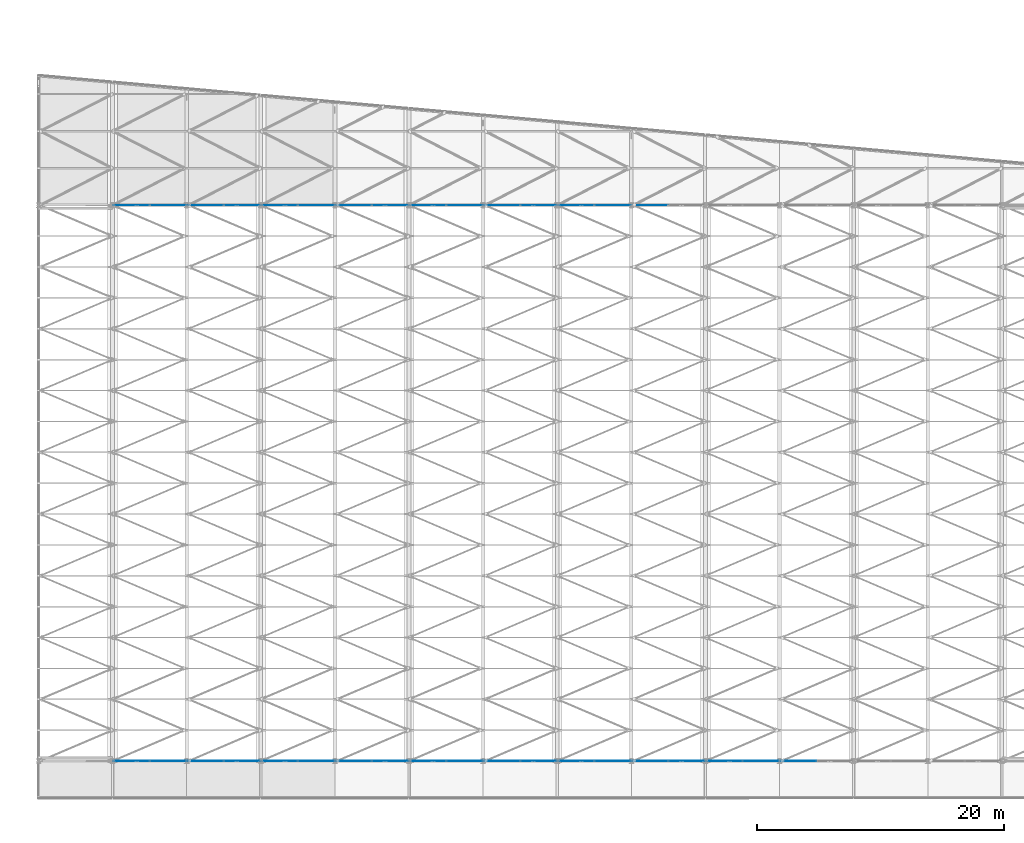
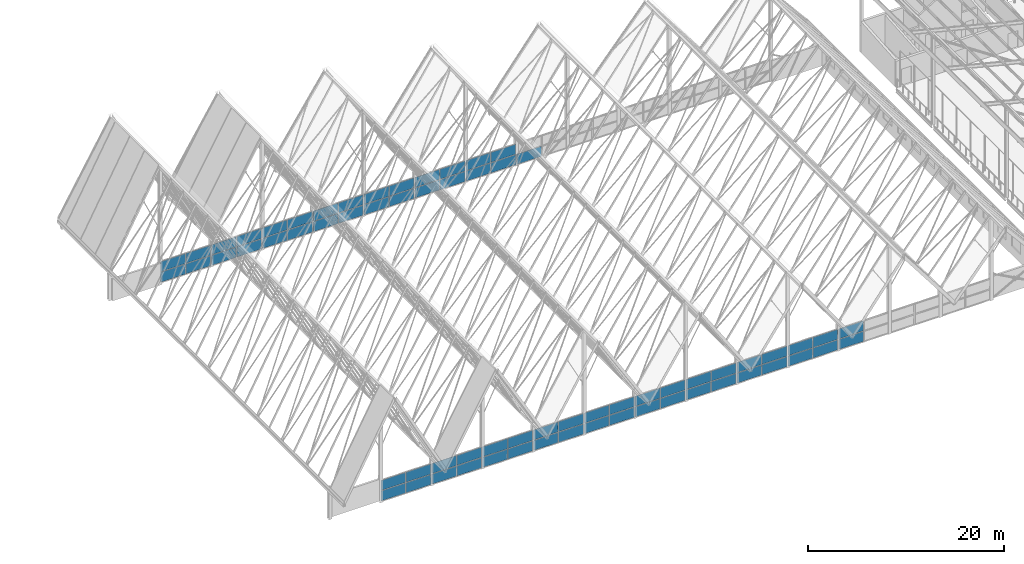
# One storey, part 106 of 483: 67 plates, 18 elements without a shape of their own.
"""IFC4 building model written with IfcOpenShell, lengths in metres."""

import ifcopenshell
import ifcopenshell.guid

model = None  # the IFC model being written
_history = None  # IfcOwnerHistory: only IFC2X3 demands one
_inside = {}  # id of a spatial element -> (the spatial element, [elements in it])
_under = {}  # id of a project, library or spatial element -> (it, [spatial elements below it])
_declared = {}  # id of a project -> (the project, [libraries it declares])
_typed = {}  # id of a type object -> (the type object, [elements of that type])
_made_of = {}  # id of a material, layer set ... -> (it, [elements and type objects made of it])


def new_model(schema):
    """Start an empty IFC model of exactly this schema.

    Asked for "IFC4X3", IfcOpenShell would pick the latest addendum, in which some entities
    have other attributes; the version numbers below select the first issue.
    IFC2X3 requires an IfcOwnerHistory on every rooted entity: one is made here for all.
    """
    global model, _history
    if schema == "IFC4X3":
        model = ifcopenshell.file(schema_version=(4, 3, 0, 0))
    else:
        model = ifcopenshell.file(schema=schema)
    _inside.clear()
    _under.clear()
    _declared.clear()
    _typed.clear()
    _made_of.clear()
    _history = None
    if model.schema == "IFC2X3":
        org = make("IfcOrganization", Name="unknown")
        user = make(
            "IfcPersonAndOrganization",
            ThePerson=make("IfcPerson", FamilyName="unknown"),
            TheOrganization=org,
        )
        app = make(
            "IfcApplication",
            ApplicationDeveloper=org,
            Version="unknown",
            ApplicationFullName="unknown",
            ApplicationIdentifier="unknown",
        )
        _history = make(
            "IfcOwnerHistory",
            OwningUser=user,
            OwningApplication=app,
            ChangeAction="ADDED",
            CreationDate=0,
        )
    return model


def make(cls, **values):
    """One entity of the class cls with the attributes given. An attribute that is None is left unset."""
    return model.create_entity(
        cls, **{name: value for name, value in values.items() if value is not None}
    )


def rooted(cls, **values):
    """An entity with a GlobalId (a new one), such as an element, a storey or a relation."""
    return make(cls, GlobalId=ifcopenshell.guid.new(), OwnerHistory=_history, **values)


def si_unit(unit_type, name, prefix=None):
    """IfcSIUnit, for example si_unit("LENGTHUNIT", "METRE", prefix="MILLI")."""
    return make("IfcSIUnit", UnitType=unit_type, Prefix=prefix, Name=name)


def assignment(units):
    """IfcUnitAssignment: the units of a project."""
    return None if units is None else make("IfcUnitAssignment", Units=units)


def point(xyz):
    """IfcCartesianPoint."""
    return None if xyz is None else make("IfcCartesianPoint", Coordinates=xyz)


def direction(xyz):
    """IfcDirection."""
    return None if xyz is None else make("IfcDirection", DirectionRatios=xyz)


def frame(location, z_axis=None, x_axis=None):
    """IfcAxis2Placement3D, a coordinate frame: its origin and axes. An axis left out is left unset."""
    return make(
        "IfcAxis2Placement3D",
        Location=point(location),
        Axis=direction(z_axis),
        RefDirection=direction(x_axis),
    )


def frame_2d(location, x_axis=None):
    """IfcAxis2Placement2D, a coordinate frame in the plane: its origin and x axis."""
    return make(
        "IfcAxis2Placement2D", Location=point(location), RefDirection=direction(x_axis)
    )


def origin():
    """The frame at (0, 0, 0) with its axes left unset."""
    return frame((0.0, 0.0, 0.0))


def origin_2d():
    """The frame at (0, 0) in the plane with its x axis left unset."""
    return frame_2d((0.0, 0.0))


def place(relative_to, where):
    """IfcLocalPlacement: puts the frame where relative to a parent placement (None: the world)."""
    return make(
        "IfcLocalPlacement", PlacementRelTo=relative_to, RelativePlacement=where
    )


def context(
    kind, dimensions, precision=None, world=None, true_north=None, identifier=None
):
    """IfcGeometricRepresentationContext, for example the 3D "Model" context."""
    return make(
        "IfcGeometricRepresentationContext",
        ContextIdentifier=identifier,
        ContextType=kind,
        CoordinateSpaceDimension=dimensions,
        Precision=precision,
        WorldCoordinateSystem=world,
        TrueNorth=true_north,
    )


def subcontext(parent, identifier, kind, view, scale=None):
    """IfcGeometricRepresentationSubContext, for example "Body" below "Model"."""
    return make(
        "IfcGeometricRepresentationSubContext",
        ContextIdentifier=identifier,
        ContextType=kind,
        ParentContext=parent,
        TargetScale=scale,
        TargetView=view,
    )


def project(units=None, contexts=None):
    """IfcProject with its units and contexts."""
    return rooted(
        "IfcProject",
        Name="project",
        RepresentationContexts=contexts,
        UnitsInContext=assignment(units),
    )


def spatial(cls, under=None, at=None, **own):
    """A site, building, storey or space (cls), placed at a placement, below another one or the project."""
    s = rooted(cls, ObjectPlacement=at, **own)
    if under is not None:
        _under.setdefault(under.id(), (under, []))[1].append(s)
    return s


def profile(cls, at=None, kind="AREA", **sizes):
    """A parametric profile (cls). Its sizes go by their IFC names, for example OverallWidth=200.0."""
    return make(cls, ProfileType=kind, Position=at, **sizes)


def rectangle(**sizes):
    """IfcRectangleProfileDef."""
    return profile("IfcRectangleProfileDef", **sizes)


def extrude(swept, where, along, depth):
    """IfcExtrudedAreaSolid: the profile swept, set in the frame where, extruded along a direction by depth."""
    return make(
        "IfcExtrudedAreaSolid",
        SweptArea=swept,
        Position=where,
        ExtrudedDirection=direction(along),
        Depth=depth,
    )


def shape(context_of_items, identifier, shape_type, items):
    """IfcShapeRepresentation: the items that make up one representation, for example the "Body"."""
    return make(
        "IfcShapeRepresentation",
        ContextOfItems=context_of_items,
        RepresentationIdentifier=identifier,
        RepresentationType=shape_type,
        Items=items,
    )


def material(Name=None, Category=None):
    """IfcMaterial."""
    return make("IfcMaterial", Name=Name, Category=Category)


def layer(
    of_material, thickness, ventilated=None, Name=None, Category=None, Priority=None
):
    """IfcMaterialLayer: one layer of a wall or slab, of a material (None: an air gap)."""
    return make(
        "IfcMaterialLayer",
        Material=of_material,
        LayerThickness=thickness,
        IsVentilated=ventilated,
        Name=Name,
        Category=Category,
        Priority=Priority,
    )


def layer_set(layers, Name=None):
    """IfcMaterialLayerSet."""
    return make("IfcMaterialLayerSet", MaterialLayers=layers, LayerSetName=Name)


def made_of(thing, what):
    """Note that an element or type object is made of a material, layer set ...; save() writes the relation."""
    if what is not None:
        _made_of.setdefault(what.id(), (what, []))[1].append(thing)
    return thing


def type_object(cls, material=None, **own):
    """A type object (cls), such as IfcWallType, which elements share."""
    return made_of(rooted(cls, **own), material)


def element(
    cls,
    number,
    at=None,
    inside=None,
    cuts=None,
    type_object=None,
    material=None,
    context=None,
    identifier="Body",
    shape_type=None,
    held_by="IfcProductDefinitionShape",
    body=None,
    shapes=None,
    **own,
):
    """One element of the class cls, such as IfcWall. Its Tag is "e" and its number.

    at: its placement. inside: the storey or other place that contains it. cuts: it is an
    opening in that element (IfcRelVoidsElement). A single representation is given by context,
    identifier, shape_type and body (its items); several are given by shapes. held_by: the class
    of the entity that holds the representations. save() writes the other relations.
    """
    e = rooted(cls, Tag="e%d" % number, ObjectPlacement=at, **own)
    if body is not None:
        shapes = [shape(context, identifier, shape_type, body)]
    if shapes is not None:
        e.Representation = make(held_by, Representations=shapes)
    if inside is not None:
        _inside.setdefault(inside.id(), (inside, []))[1].append(e)
    if cuts is not None:
        rooted(
            "IfcRelVoidsElement", RelatingBuildingElement=cuts, RelatedOpeningElement=e
        )
    if type_object is not None:
        _typed.setdefault(type_object.id(), (type_object, []))[1].append(e)
    return made_of(e, material)


def aggregate(whole, parts):
    """IfcRelAggregates: a whole, such as a stair, and the parts it consists of."""
    return rooted("IfcRelAggregates", RelatingObject=whole, RelatedObjects=parts)


def save(model, path):
    """Write the relations noted so far, then the file.

    IfcRelAggregates (storeys below a building ...), IfcRelContainedInSpatialStructure (elements
    in a storey), IfcRelDefinesByType, IfcRelAssociatesMaterial and IfcRelDeclares: one each for
    every whole, place, type object, material and project.
    """
    for whole, parts in _under.values():
        aggregate(whole, parts)
    for where, things in _inside.values():
        rooted(
            "IfcRelContainedInSpatialStructure",
            RelatedElements=things,
            RelatingStructure=where,
        )
    for kind, things in _typed.values():
        rooted("IfcRelDefinesByType", RelatedObjects=things, RelatingType=kind)
    for what, things in _made_of.values():
        rooted("IfcRelAssociatesMaterial", RelatedObjects=things, RelatingMaterial=what)
    for by, libraries in _declared.values():
        rooted("IfcRelDeclares", RelatingContext=by, RelatedDefinitions=libraries)
    model.write(path)


model = new_model("IFC4")

# Units and contexts
model_context = context("Model", 3, precision=1e-05, world=origin(), true_north=direction((0.0, 1.0)))
body_context = subcontext(model_context, "Body", "Model", "MODEL_VIEW")
ifc_project = project(units=[si_unit("LENGTHUNIT", "METRE"), si_unit("AREAUNIT", "SQUARE_METRE"), si_unit("VOLUMEUNIT", "CUBIC_METRE"), si_unit("PLANEANGLEUNIT", "RADIAN"), si_unit("MASSUNIT", "GRAM", prefix="KILO")], contexts=[model_context])

# Site, building, storey
site_placement = place(None, origin())
site = spatial("IfcSite", under=ifc_project, at=site_placement, CompositionType="ELEMENT")
building_placement = place(site_placement, origin())
building = spatial("IfcBuilding", under=site, at=building_placement, Name="Parallax Yard Mobility Hub", CompositionType="ELEMENT")
storey_placement = place(building_placement, frame((0.0, 0.0, 13.199951171875)))
storey = spatial("IfcBuildingStorey", under=building, at=storey_placement, Name="L04", CompositionType="ELEMENT", Elevation=13.199951171875)

# Curtain wall, plates
ifc_material_1 = material(Name="Thermally broken aluminium curtain wall system", Category="aluminium")
curtain_wall_type = type_object("IfcCurtainWallType", Name="Curtain wall run 60 x 160 frame", PredefinedType="NOTDEFINED", material=ifc_material_1)
curtain_wall_1_placement = place(storey_placement, origin())
curtain_wall_1 = element("IfcCurtainWall", 1, at=curtain_wall_1_placement, inside=storey, type_object=curtain_wall_type, Name="Glazed gable end Bus and taxi deck south gable bay 2 level L04", PredefinedType="NOTDEFINED")
ifc_material_2 = material(Name="Laminated low-E double glazing", Category="glass")
ifc_layer = layer(ifc_material_2, 0.028076171875)
ifc_layer_set = layer_set([ifc_layer], Name="Glazing panel 28")
plate_type = type_object("IfcPlateType", Name="Glazing panel 28", PredefinedType="CURTAIN_PANEL", material=ifc_layer_set)
plate_1_placement = place(storey_placement, frame((16.514892578125, 7.5, 0.06005859375), z_axis=(0.0, 0.0, 1.0), x_axis=(1.0, 0.0, 0.0)))
plate_1 = element("IfcPlate", 2, at=plate_1_placement, type_object=plate_type, Name="CW1 panel 1.1", PredefinedType="CURTAIN_PANEL", context=body_context, shape_type="SweptSolid", body=[
    extrude(rectangle(XDim=2.909912109375, YDim=0.028076171875, at=origin_2d()), origin(), (0.0, 0.0, 1.0), 1.2548828125),
])
plate_2_placement = place(storey_placement, frame((16.514892578125, 7.5, 1.375), z_axis=(0.0, 0.0, 1.0), x_axis=(1.0, 0.0, 0.0)))
plate_2 = element("IfcPlate", 3, at=plate_2_placement, type_object=plate_type, Name="CW1 panel 1.2", PredefinedType="CURTAIN_PANEL", context=body_context, shape_type="SweptSolid", body=[
    extrude(rectangle(XDim=2.909912109375, YDim=0.028076171875, at=origin_2d()), origin(), (0.0, 0.0, 1.0), 1.2548828125),
])
plate_3_placement = place(storey_placement, frame((19.485107421875, 7.5, 0.06005859375), z_axis=(0.0, 0.0, 1.0), x_axis=(1.0, 0.0, 0.0)))
plate_3 = element("IfcPlate", 4, at=plate_3_placement, type_object=plate_type, Name="CW1 panel 2.1", PredefinedType="CURTAIN_PANEL", context=body_context, shape_type="SweptSolid", body=[
    extrude(rectangle(XDim=2.909912109375, YDim=0.028076171875, at=origin_2d()), origin(), (0.0, 0.0, 1.0), 1.2548828125),
])
plate_4_placement = place(storey_placement, frame((19.485107421875, 7.5, 1.375), z_axis=(0.0, 0.0, 1.0), x_axis=(1.0, 0.0, 0.0)))
plate_4 = element("IfcPlate", 5, at=plate_4_placement, type_object=plate_type, Name="CW1 panel 2.2", PredefinedType="CURTAIN_PANEL", context=body_context, shape_type="SweptSolid", body=[
    extrude(rectangle(XDim=2.909912109375, YDim=0.028076171875, at=origin_2d()), origin(), (0.0, 0.0, 1.0), 1.2548828125),
])
aggregate(curtain_wall_1, [plate_1, plate_2, plate_3, plate_4])

curtain_wall_2_placement = place(storey_placement, origin())
curtain_wall_2 = element("IfcCurtainWall", 6, at=curtain_wall_2_placement, inside=storey, type_object=curtain_wall_type, Name="Glazed gable end Bus and taxi deck south gable bay 3 level L04", PredefinedType="NOTDEFINED")
plate_5_placement = place(storey_placement, frame((22.514892578125, 7.5, 0.06005859375), z_axis=(0.0, 0.0, 1.0), x_axis=(1.0, 0.0, 0.0)))
plate_5 = element("IfcPlate", 7, at=plate_5_placement, type_object=plate_type, Name="CW1 panel 1.1", PredefinedType="CURTAIN_PANEL", context=body_context, shape_type="SweptSolid", body=[
    extrude(rectangle(XDim=2.909912109375, YDim=0.028076171875, at=origin_2d()), origin(), (0.0, 0.0, 1.0), 1.2548828125),
])
plate_6_placement = place(storey_placement, frame((22.514892578125, 7.5, 1.375), z_axis=(0.0, 0.0, 1.0), x_axis=(1.0, 0.0, 0.0)))
plate_6 = element("IfcPlate", 8, at=plate_6_placement, type_object=plate_type, Name="CW1 panel 1.2", PredefinedType="CURTAIN_PANEL", context=body_context, shape_type="SweptSolid", body=[
    extrude(rectangle(XDim=2.909912109375, YDim=0.028076171875, at=origin_2d()), origin(), (0.0, 0.0, 1.0), 1.2548828125),
])
plate_7_placement = place(storey_placement, frame((25.485107421875, 7.5, 0.06005859375), z_axis=(0.0, 0.0, 1.0), x_axis=(1.0, 0.0, 0.0)))
plate_7 = element("IfcPlate", 9, at=plate_7_placement, type_object=plate_type, Name="CW1 panel 2.1", PredefinedType="CURTAIN_PANEL", context=body_context, shape_type="SweptSolid", body=[
    extrude(rectangle(XDim=2.909912109375, YDim=0.028076171875, at=origin_2d()), origin(), (0.0, 0.0, 1.0), 1.2548828125),
])
plate_8_placement = place(storey_placement, frame((25.485107421875, 7.5, 1.375), z_axis=(0.0, 0.0, 1.0), x_axis=(1.0, 0.0, 0.0)))
plate_8 = element("IfcPlate", 10, at=plate_8_placement, type_object=plate_type, Name="CW1 panel 2.2", PredefinedType="CURTAIN_PANEL", context=body_context, shape_type="SweptSolid", body=[
    extrude(rectangle(XDim=2.909912109375, YDim=0.028076171875, at=origin_2d()), origin(), (0.0, 0.0, 1.0), 1.2548828125),
])
aggregate(curtain_wall_2, [plate_5, plate_6, plate_7, plate_8])

curtain_wall_3_placement = place(storey_placement, origin())
curtain_wall_3 = element("IfcCurtainWall", 11, at=curtain_wall_3_placement, inside=storey, type_object=curtain_wall_type, Name="Glazed gable end Bus and taxi deck south gable bay 4 level L04", PredefinedType="NOTDEFINED")
plate_9_placement = place(storey_placement, frame((28.514892578125, 7.5, 0.06005859375), z_axis=(0.0, 0.0, 1.0), x_axis=(1.0, 0.0, 0.0)))
plate_9 = element("IfcPlate", 12, at=plate_9_placement, type_object=plate_type, Name="CW1 panel 1.1", PredefinedType="CURTAIN_PANEL", context=body_context, shape_type="SweptSolid", body=[
    extrude(rectangle(XDim=2.909912109375, YDim=0.028076171875, at=origin_2d()), origin(), (0.0, 0.0, 1.0), 1.2548828125),
])
plate_10_placement = place(storey_placement, frame((28.514892578125, 7.5, 1.375), z_axis=(0.0, 0.0, 1.0), x_axis=(1.0, 0.0, 0.0)))
plate_10 = element("IfcPlate", 13, at=plate_10_placement, type_object=plate_type, Name="CW1 panel 1.2", PredefinedType="CURTAIN_PANEL", context=body_context, shape_type="SweptSolid", body=[
    extrude(rectangle(XDim=2.909912109375, YDim=0.028076171875, at=origin_2d()), origin(), (0.0, 0.0, 1.0), 1.2548828125),
])
plate_11_placement = place(storey_placement, frame((31.485107421875, 7.5, 0.06005859375), z_axis=(0.0, 0.0, 1.0), x_axis=(1.0, 0.0, 0.0)))
plate_11 = element("IfcPlate", 14, at=plate_11_placement, type_object=plate_type, Name="CW1 panel 2.1", PredefinedType="CURTAIN_PANEL", context=body_context, shape_type="SweptSolid", body=[
    extrude(rectangle(XDim=2.909912109375, YDim=0.028076171875, at=origin_2d()), origin(), (0.0, 0.0, 1.0), 1.2548828125),
])
plate_12_placement = place(storey_placement, frame((31.485107421875, 7.5, 1.375), z_axis=(0.0, 0.0, 1.0), x_axis=(1.0, 0.0, 0.0)))
plate_12 = element("IfcPlate", 15, at=plate_12_placement, type_object=plate_type, Name="CW1 panel 2.2", PredefinedType="CURTAIN_PANEL", context=body_context, shape_type="SweptSolid", body=[
    extrude(rectangle(XDim=2.909912109375, YDim=0.028076171875, at=origin_2d()), origin(), (0.0, 0.0, 1.0), 1.2548828125),
])
aggregate(curtain_wall_3, [plate_9, plate_10, plate_11, plate_12])

curtain_wall_4_placement = place(storey_placement, origin())
curtain_wall_4 = element("IfcCurtainWall", 16, at=curtain_wall_4_placement, inside=storey, type_object=curtain_wall_type, Name="Glazed gable end Bus and taxi deck south gable bay 5 level L04", PredefinedType="NOTDEFINED")
plate_13_placement = place(storey_placement, frame((34.514892578125, 7.5, 0.06005859375), z_axis=(0.0, 0.0, 1.0), x_axis=(1.0, 0.0, 0.0)))
plate_13 = element("IfcPlate", 17, at=plate_13_placement, type_object=plate_type, Name="CW1 panel 1.1", PredefinedType="CURTAIN_PANEL", context=body_context, shape_type="SweptSolid", body=[
    extrude(rectangle(XDim=2.909912109375, YDim=0.028076171875, at=origin_2d()), origin(), (0.0, 0.0, 1.0), 1.2548828125),
])
plate_14_placement = place(storey_placement, frame((34.514892578125, 7.5, 1.375), z_axis=(0.0, 0.0, 1.0), x_axis=(1.0, 0.0, 0.0)))
plate_14 = element("IfcPlate", 18, at=plate_14_placement, type_object=plate_type, Name="CW1 panel 1.2", PredefinedType="CURTAIN_PANEL", context=body_context, shape_type="SweptSolid", body=[
    extrude(rectangle(XDim=2.909912109375, YDim=0.028076171875, at=origin_2d()), origin(), (0.0, 0.0, 1.0), 1.2548828125),
])
plate_15_placement = place(storey_placement, frame((37.485107421875, 7.5, 0.06005859375), z_axis=(0.0, 0.0, 1.0), x_axis=(1.0, 0.0, 0.0)))
plate_15 = element("IfcPlate", 19, at=plate_15_placement, type_object=plate_type, Name="CW1 panel 2.1", PredefinedType="CURTAIN_PANEL", context=body_context, shape_type="SweptSolid", body=[
    extrude(rectangle(XDim=2.909912109375, YDim=0.028076171875, at=origin_2d()), origin(), (0.0, 0.0, 1.0), 1.2548828125),
])
plate_16_placement = place(storey_placement, frame((37.485107421875, 7.5, 1.375), z_axis=(0.0, 0.0, 1.0), x_axis=(1.0, 0.0, 0.0)))
plate_16 = element("IfcPlate", 20, at=plate_16_placement, type_object=plate_type, Name="CW1 panel 2.2", PredefinedType="CURTAIN_PANEL", context=body_context, shape_type="SweptSolid", body=[
    extrude(rectangle(XDim=2.909912109375, YDim=0.028076171875, at=origin_2d()), origin(), (0.0, 0.0, 1.0), 1.2548828125),
])
aggregate(curtain_wall_4, [plate_13, plate_14, plate_15, plate_16])

curtain_wall_5_placement = place(storey_placement, origin())
curtain_wall_5 = element("IfcCurtainWall", 21, at=curtain_wall_5_placement, inside=storey, type_object=curtain_wall_type, Name="Glazed gable end Bus and taxi deck south gable bay 6 level L04", PredefinedType="NOTDEFINED")
plate_17_placement = place(storey_placement, frame((40.514892578125, 7.5, 0.06005859375), z_axis=(0.0, 0.0, 1.0), x_axis=(1.0, 0.0, 0.0)))
plate_17 = element("IfcPlate", 22, at=plate_17_placement, type_object=plate_type, Name="CW1 panel 1.1", PredefinedType="CURTAIN_PANEL", context=body_context, shape_type="SweptSolid", body=[
    extrude(rectangle(XDim=2.909912109375, YDim=0.028076171875, at=origin_2d()), origin(), (0.0, 0.0, 1.0), 1.2548828125),
])
plate_18_placement = place(storey_placement, frame((40.514892578125, 7.5, 1.375), z_axis=(0.0, 0.0, 1.0), x_axis=(1.0, 0.0, 0.0)))
plate_18 = element("IfcPlate", 23, at=plate_18_placement, type_object=plate_type, Name="CW1 panel 1.2", PredefinedType="CURTAIN_PANEL", context=body_context, shape_type="SweptSolid", body=[
    extrude(rectangle(XDim=2.909912109375, YDim=0.028076171875, at=origin_2d()), origin(), (0.0, 0.0, 1.0), 1.2548828125),
])
plate_19_placement = place(storey_placement, frame((43.485107421875, 7.5, 0.06005859375), z_axis=(0.0, 0.0, 1.0), x_axis=(1.0, 0.0, 0.0)))
plate_19 = element("IfcPlate", 24, at=plate_19_placement, type_object=plate_type, Name="CW1 panel 2.1", PredefinedType="CURTAIN_PANEL", context=body_context, shape_type="SweptSolid", body=[
    extrude(rectangle(XDim=2.909912109375, YDim=0.028076171875, at=origin_2d()), origin(), (0.0, 0.0, 1.0), 1.2548828125),
])
plate_20_placement = place(storey_placement, frame((43.485107421875, 7.5, 1.375), z_axis=(0.0, 0.0, 1.0), x_axis=(1.0, 0.0, 0.0)))
plate_20 = element("IfcPlate", 25, at=plate_20_placement, type_object=plate_type, Name="CW1 panel 2.2", PredefinedType="CURTAIN_PANEL", context=body_context, shape_type="SweptSolid", body=[
    extrude(rectangle(XDim=2.909912109375, YDim=0.028076171875, at=origin_2d()), origin(), (0.0, 0.0, 1.0), 1.2548828125),
])
aggregate(curtain_wall_5, [plate_17, plate_18, plate_19, plate_20])

curtain_wall_6_placement = place(storey_placement, origin())
curtain_wall_6 = element("IfcCurtainWall", 26, at=curtain_wall_6_placement, inside=storey, type_object=curtain_wall_type, Name="Glazed gable end Bus and taxi deck south gable bay 7 level L04", PredefinedType="NOTDEFINED")
plate_21_placement = place(storey_placement, frame((46.514892578125, 7.5, 0.06005859375), z_axis=(0.0, 0.0, 1.0), x_axis=(1.0, 0.0, 0.0)))
plate_21 = element("IfcPlate", 27, at=plate_21_placement, type_object=plate_type, Name="CW1 panel 1.1", PredefinedType="CURTAIN_PANEL", context=body_context, shape_type="SweptSolid", body=[
    extrude(rectangle(XDim=2.909912109375, YDim=0.028076171875, at=origin_2d()), origin(), (0.0, 0.0, 1.0), 1.2548828125),
])
plate_22_placement = place(storey_placement, frame((46.514892578125, 7.5, 1.375), z_axis=(0.0, 0.0, 1.0), x_axis=(1.0, 0.0, 0.0)))
plate_22 = element("IfcPlate", 28, at=plate_22_placement, type_object=plate_type, Name="CW1 panel 1.2", PredefinedType="CURTAIN_PANEL", context=body_context, shape_type="SweptSolid", body=[
    extrude(rectangle(XDim=2.909912109375, YDim=0.028076171875, at=origin_2d()), origin(), (0.0, 0.0, 1.0), 1.2548828125),
])
plate_23_placement = place(storey_placement, frame((49.485107421875, 7.5, 0.06005859375), z_axis=(0.0, 0.0, 1.0), x_axis=(1.0, 0.0, 0.0)))
plate_23 = element("IfcPlate", 29, at=plate_23_placement, type_object=plate_type, Name="CW1 panel 2.1", PredefinedType="CURTAIN_PANEL", context=body_context, shape_type="SweptSolid", body=[
    extrude(rectangle(XDim=2.909912109375, YDim=0.028076171875, at=origin_2d()), origin(), (0.0, 0.0, 1.0), 1.2548828125),
])
plate_24_placement = place(storey_placement, frame((49.485107421875, 7.5, 1.375), z_axis=(0.0, 0.0, 1.0), x_axis=(1.0, 0.0, 0.0)))
plate_24 = element("IfcPlate", 30, at=plate_24_placement, type_object=plate_type, Name="CW1 panel 2.2", PredefinedType="CURTAIN_PANEL", context=body_context, shape_type="SweptSolid", body=[
    extrude(rectangle(XDim=2.909912109375, YDim=0.028076171875, at=origin_2d()), origin(), (0.0, 0.0, 1.0), 1.2548828125),
])
aggregate(curtain_wall_6, [plate_21, plate_22, plate_23, plate_24])

curtain_wall_7_placement = place(storey_placement, origin())
curtain_wall_7 = element("IfcCurtainWall", 31, at=curtain_wall_7_placement, inside=storey, type_object=curtain_wall_type, Name="Glazed gable end Bus and taxi deck south gable bay 8 level L04", PredefinedType="NOTDEFINED")
plate_25_placement = place(storey_placement, frame((52.514892578125, 7.5, 0.06005859375), z_axis=(0.0, 0.0, 1.0), x_axis=(1.0, 0.0, 0.0)))
plate_25 = element("IfcPlate", 32, at=plate_25_placement, type_object=plate_type, Name="CW1 panel 1.1", PredefinedType="CURTAIN_PANEL", context=body_context, shape_type="SweptSolid", body=[
    extrude(rectangle(XDim=2.909912109375, YDim=0.028076171875, at=origin_2d()), origin(), (0.0, 0.0, 1.0), 1.2548828125),
])
plate_26_placement = place(storey_placement, frame((52.514892578125, 7.5, 1.375), z_axis=(0.0, 0.0, 1.0), x_axis=(1.0, 0.0, 0.0)))
plate_26 = element("IfcPlate", 33, at=plate_26_placement, type_object=plate_type, Name="CW1 panel 1.2", PredefinedType="CURTAIN_PANEL", context=body_context, shape_type="SweptSolid", body=[
    extrude(rectangle(XDim=2.909912109375, YDim=0.028076171875, at=origin_2d()), origin(), (0.0, 0.0, 1.0), 1.2548828125),
])
plate_27_placement = place(storey_placement, frame((55.485107421875, 7.5, 0.06005859375), z_axis=(0.0, 0.0, 1.0), x_axis=(1.0, 0.0, 0.0)))
plate_27 = element("IfcPlate", 34, at=plate_27_placement, type_object=plate_type, Name="CW1 panel 2.1", PredefinedType="CURTAIN_PANEL", context=body_context, shape_type="SweptSolid", body=[
    extrude(rectangle(XDim=2.909912109375, YDim=0.028076171875, at=origin_2d()), origin(), (0.0, 0.0, 1.0), 1.2548828125),
])
plate_28_placement = place(storey_placement, frame((55.485107421875, 7.5, 1.375), z_axis=(0.0, 0.0, 1.0), x_axis=(1.0, 0.0, 0.0)))
plate_28 = element("IfcPlate", 35, at=plate_28_placement, type_object=plate_type, Name="CW1 panel 2.2", PredefinedType="CURTAIN_PANEL", context=body_context, shape_type="SweptSolid", body=[
    extrude(rectangle(XDim=2.909912109375, YDim=0.028076171875, at=origin_2d()), origin(), (0.0, 0.0, 1.0), 1.2548828125),
])
aggregate(curtain_wall_7, [plate_25, plate_26, plate_27, plate_28])

curtain_wall_8_placement = place(storey_placement, origin())
curtain_wall_8 = element("IfcCurtainWall", 36, at=curtain_wall_8_placement, inside=storey, type_object=curtain_wall_type, Name="Glazed gable end Bus and taxi deck south gable bay 9 level L04", PredefinedType="NOTDEFINED")
plate_29_placement = place(storey_placement, frame((58.514892578125, 7.5, 0.06005859375), z_axis=(0.0, 0.0, 1.0), x_axis=(1.0, 0.0, 0.0)))
plate_29 = element("IfcPlate", 37, at=plate_29_placement, type_object=plate_type, Name="CW1 panel 1.1", PredefinedType="CURTAIN_PANEL", context=body_context, shape_type="SweptSolid", body=[
    extrude(rectangle(XDim=2.909912109375, YDim=0.028076171875, at=origin_2d()), origin(), (0.0, 0.0, 1.0), 1.2548828125),
])
plate_30_placement = place(storey_placement, frame((58.514892578125, 7.5, 1.375), z_axis=(0.0, 0.0, 1.0), x_axis=(1.0, 0.0, 0.0)))
plate_30 = element("IfcPlate", 38, at=plate_30_placement, type_object=plate_type, Name="CW1 panel 1.2", PredefinedType="CURTAIN_PANEL", context=body_context, shape_type="SweptSolid", body=[
    extrude(rectangle(XDim=2.909912109375, YDim=0.028076171875, at=origin_2d()), origin(), (0.0, 0.0, 1.0), 1.2548828125),
])
plate_31_placement = place(storey_placement, frame((61.485107421875, 7.5, 0.06005859375), z_axis=(0.0, 0.0, 1.0), x_axis=(1.0, 0.0, 0.0)))
plate_31 = element("IfcPlate", 39, at=plate_31_placement, type_object=plate_type, Name="CW1 panel 2.1", PredefinedType="CURTAIN_PANEL", context=body_context, shape_type="SweptSolid", body=[
    extrude(rectangle(XDim=2.909912109375, YDim=0.028076171875, at=origin_2d()), origin(), (0.0, 0.0, 1.0), 1.2548828125),
])
plate_32_placement = place(storey_placement, frame((61.485107421875, 7.5, 1.375), z_axis=(0.0, 0.0, 1.0), x_axis=(1.0, 0.0, 0.0)))
plate_32 = element("IfcPlate", 40, at=plate_32_placement, type_object=plate_type, Name="CW1 panel 2.2", PredefinedType="CURTAIN_PANEL", context=body_context, shape_type="SweptSolid", body=[
    extrude(rectangle(XDim=2.909912109375, YDim=0.028076171875, at=origin_2d()), origin(), (0.0, 0.0, 1.0), 1.2548828125),
])
aggregate(curtain_wall_8, [plate_29, plate_30, plate_31, plate_32])

curtain_wall_9_placement = place(storey_placement, origin())
curtain_wall_9 = element("IfcCurtainWall", 41, at=curtain_wall_9_placement, inside=storey, type_object=curtain_wall_type, Name="Glazed gable end Bus and taxi deck south gable bay 10 level L04", PredefinedType="NOTDEFINED")
plate_33_placement = place(storey_placement, frame((64.514892578125, 7.5, 0.06005859375), z_axis=(0.0, 0.0, 1.0), x_axis=(1.0, 0.0, 0.0)))
plate_33 = element("IfcPlate", 42, at=plate_33_placement, type_object=plate_type, Name="CW1 panel 1.1", PredefinedType="CURTAIN_PANEL", context=body_context, shape_type="SweptSolid", body=[
    extrude(rectangle(XDim=2.909912109375, YDim=0.028076171875, at=origin_2d()), origin(), (0.0, 0.0, 1.0), 1.2548828125),
])
plate_34_placement = place(storey_placement, frame((64.514892578125, 7.5, 1.375), z_axis=(0.0, 0.0, 1.0), x_axis=(1.0, 0.0, 0.0)))
plate_34 = element("IfcPlate", 43, at=plate_34_placement, type_object=plate_type, Name="CW1 panel 1.2", PredefinedType="CURTAIN_PANEL", context=body_context, shape_type="SweptSolid", body=[
    extrude(rectangle(XDim=2.909912109375, YDim=0.028076171875, at=origin_2d()), origin(), (0.0, 0.0, 1.0), 1.2548828125),
])
plate_35_placement = place(storey_placement, frame((67.485107421875, 7.5, 0.06005859375), z_axis=(0.0, 0.0, 1.0), x_axis=(1.0, 0.0, 0.0)))
plate_35 = element("IfcPlate", 44, at=plate_35_placement, type_object=plate_type, Name="CW1 panel 2.1", PredefinedType="CURTAIN_PANEL", context=body_context, shape_type="SweptSolid", body=[
    extrude(rectangle(XDim=2.909912109375, YDim=0.028076171875, at=origin_2d()), origin(), (0.0, 0.0, 1.0), 1.2548828125),
])
plate_36_placement = place(storey_placement, frame((67.485107421875, 7.5, 1.375), z_axis=(0.0, 0.0, 1.0), x_axis=(1.0, 0.0, 0.0)))
plate_36 = element("IfcPlate", 45, at=plate_36_placement, type_object=plate_type, Name="CW1 panel 2.2", PredefinedType="CURTAIN_PANEL", context=body_context, shape_type="SweptSolid", body=[
    extrude(rectangle(XDim=2.909912109375, YDim=0.028076171875, at=origin_2d()), origin(), (0.0, 0.0, 1.0), 1.2548828125),
])
aggregate(curtain_wall_9, [plate_33, plate_34, plate_35, plate_36])

curtain_wall_10_placement = place(storey_placement, origin())
curtain_wall_10 = element("IfcCurtainWall", 46, at=curtain_wall_10_placement, inside=storey, type_object=curtain_wall_type, Name="Glazed gable end Bus and taxi deck south gable bay 11 level L04", PredefinedType="NOTDEFINED")
plate_37_placement = place(storey_placement, frame((70.514892578125, 7.5, 0.06005859375), z_axis=(0.0, 0.0, 1.0), x_axis=(1.0, 0.0, 0.0)))
plate_37 = element("IfcPlate", 47, at=plate_37_placement, type_object=plate_type, Name="CW1 panel 1.1", PredefinedType="CURTAIN_PANEL", context=body_context, shape_type="SweptSolid", body=[
    extrude(rectangle(XDim=2.909912109375, YDim=0.028076171875, at=origin_2d()), origin(), (0.0, 0.0, 1.0), 1.2548828125),
])
plate_38_placement = place(storey_placement, frame((70.514892578125, 7.5, 1.375), z_axis=(0.0, 0.0, 1.0), x_axis=(1.0, 0.0, 0.0)))
plate_38 = element("IfcPlate", 48, at=plate_38_placement, type_object=plate_type, Name="CW1 panel 1.2", PredefinedType="CURTAIN_PANEL", context=body_context, shape_type="SweptSolid", body=[
    extrude(rectangle(XDim=2.909912109375, YDim=0.028076171875, at=origin_2d()), origin(), (0.0, 0.0, 1.0), 1.2548828125),
])
aggregate(curtain_wall_10, [plate_37, plate_38])

curtain_wall_11_placement = place(storey_placement, origin())
curtain_wall_11 = element("IfcCurtainWall", 49, at=curtain_wall_11_placement, inside=storey, type_object=curtain_wall_type, Name="Glazed gable end Bus and taxi deck north gable bay 2 level L04", PredefinedType="NOTDEFINED")
plate_39_placement = place(storey_placement, frame((16.514892578125, 52.5, 0.06005859375), z_axis=(0.0, 0.0, 1.0), x_axis=(1.0, 0.0, 0.0)))
plate_39 = element("IfcPlate", 50, at=plate_39_placement, type_object=plate_type, Name="CW1 panel 1.1", PredefinedType="CURTAIN_PANEL", context=body_context, shape_type="SweptSolid", body=[
    extrude(rectangle(XDim=2.909912109375, YDim=0.028076171875, at=origin_2d()), origin(), (0.0, 0.0, 1.0), 1.2548828125),
])
plate_40_placement = place(storey_placement, frame((16.514892578125, 52.5, 1.375), z_axis=(0.0, 0.0, 1.0), x_axis=(1.0, 0.0, 0.0)))
plate_40 = element("IfcPlate", 51, at=plate_40_placement, type_object=plate_type, Name="CW1 panel 1.2", PredefinedType="CURTAIN_PANEL", context=body_context, shape_type="SweptSolid", body=[
    extrude(rectangle(XDim=2.909912109375, YDim=0.028076171875, at=origin_2d()), origin(), (0.0, 0.0, 1.0), 1.2548828125),
])
plate_41_placement = place(storey_placement, frame((19.485107421875, 52.5, 0.06005859375), z_axis=(0.0, 0.0, 1.0), x_axis=(1.0, 0.0, 0.0)))
plate_41 = element("IfcPlate", 52, at=plate_41_placement, type_object=plate_type, Name="CW1 panel 2.1", PredefinedType="CURTAIN_PANEL", context=body_context, shape_type="SweptSolid", body=[
    extrude(rectangle(XDim=2.909912109375, YDim=0.028076171875, at=origin_2d()), origin(), (0.0, 0.0, 1.0), 1.2548828125),
])
plate_42_placement = place(storey_placement, frame((19.485107421875, 52.5, 1.375), z_axis=(0.0, 0.0, 1.0), x_axis=(1.0, 0.0, 0.0)))
plate_42 = element("IfcPlate", 53, at=plate_42_placement, type_object=plate_type, Name="CW1 panel 2.2", PredefinedType="CURTAIN_PANEL", context=body_context, shape_type="SweptSolid", body=[
    extrude(rectangle(XDim=2.909912109375, YDim=0.028076171875, at=origin_2d()), origin(), (0.0, 0.0, 1.0), 1.2548828125),
])
aggregate(curtain_wall_11, [plate_39, plate_40, plate_41, plate_42])

curtain_wall_12_placement = place(storey_placement, origin())
curtain_wall_12 = element("IfcCurtainWall", 54, at=curtain_wall_12_placement, inside=storey, type_object=curtain_wall_type, Name="Glazed gable end Bus and taxi deck north gable bay 3 level L04", PredefinedType="NOTDEFINED")
plate_43_placement = place(storey_placement, frame((22.514892578125, 52.5, 0.06005859375), z_axis=(0.0, 0.0, 1.0), x_axis=(1.0, 0.0, 0.0)))
plate_43 = element("IfcPlate", 55, at=plate_43_placement, type_object=plate_type, Name="CW1 panel 1.1", PredefinedType="CURTAIN_PANEL", context=body_context, shape_type="SweptSolid", body=[
    extrude(rectangle(XDim=2.909912109375, YDim=0.028076171875, at=origin_2d()), origin(), (0.0, 0.0, 1.0), 1.2548828125),
])
plate_44_placement = place(storey_placement, frame((22.514892578125, 52.5, 1.375), z_axis=(0.0, 0.0, 1.0), x_axis=(1.0, 0.0, 0.0)))
plate_44 = element("IfcPlate", 56, at=plate_44_placement, type_object=plate_type, Name="CW1 panel 1.2", PredefinedType="CURTAIN_PANEL", context=body_context, shape_type="SweptSolid", body=[
    extrude(rectangle(XDim=2.909912109375, YDim=0.028076171875, at=origin_2d()), origin(), (0.0, 0.0, 1.0), 1.2548828125),
])
plate_45_placement = place(storey_placement, frame((25.485107421875, 52.5, 0.06005859375), z_axis=(0.0, 0.0, 1.0), x_axis=(1.0, 0.0, 0.0)))
plate_45 = element("IfcPlate", 57, at=plate_45_placement, type_object=plate_type, Name="CW1 panel 2.1", PredefinedType="CURTAIN_PANEL", context=body_context, shape_type="SweptSolid", body=[
    extrude(rectangle(XDim=2.909912109375, YDim=0.028076171875, at=origin_2d()), origin(), (0.0, 0.0, 1.0), 1.2548828125),
])
plate_46_placement = place(storey_placement, frame((25.485107421875, 52.5, 1.375), z_axis=(0.0, 0.0, 1.0), x_axis=(1.0, 0.0, 0.0)))
plate_46 = element("IfcPlate", 58, at=plate_46_placement, type_object=plate_type, Name="CW1 panel 2.2", PredefinedType="CURTAIN_PANEL", context=body_context, shape_type="SweptSolid", body=[
    extrude(rectangle(XDim=2.909912109375, YDim=0.028076171875, at=origin_2d()), origin(), (0.0, 0.0, 1.0), 1.2548828125),
])
aggregate(curtain_wall_12, [plate_43, plate_44, plate_45, plate_46])

curtain_wall_13_placement = place(storey_placement, origin())
curtain_wall_13 = element("IfcCurtainWall", 59, at=curtain_wall_13_placement, inside=storey, type_object=curtain_wall_type, Name="Glazed gable end Bus and taxi deck north gable bay 4 level L04", PredefinedType="NOTDEFINED")
plate_47_placement = place(storey_placement, frame((28.514892578125, 52.5, 0.06005859375), z_axis=(0.0, 0.0, 1.0), x_axis=(1.0, 0.0, 0.0)))
plate_47 = element("IfcPlate", 60, at=plate_47_placement, type_object=plate_type, Name="CW1 panel 1.1", PredefinedType="CURTAIN_PANEL", context=body_context, shape_type="SweptSolid", body=[
    extrude(rectangle(XDim=2.909912109375, YDim=0.028076171875, at=origin_2d()), origin(), (0.0, 0.0, 1.0), 1.2548828125),
])
plate_48_placement = place(storey_placement, frame((28.514892578125, 52.5, 1.375), z_axis=(0.0, 0.0, 1.0), x_axis=(1.0, 0.0, 0.0)))
plate_48 = element("IfcPlate", 61, at=plate_48_placement, type_object=plate_type, Name="CW1 panel 1.2", PredefinedType="CURTAIN_PANEL", context=body_context, shape_type="SweptSolid", body=[
    extrude(rectangle(XDim=2.909912109375, YDim=0.028076171875, at=origin_2d()), origin(), (0.0, 0.0, 1.0), 1.2548828125),
])
plate_49_placement = place(storey_placement, frame((31.485107421875, 52.5, 0.06005859375), z_axis=(0.0, 0.0, 1.0), x_axis=(1.0, 0.0, 0.0)))
plate_49 = element("IfcPlate", 62, at=plate_49_placement, type_object=plate_type, Name="CW1 panel 2.1", PredefinedType="CURTAIN_PANEL", context=body_context, shape_type="SweptSolid", body=[
    extrude(rectangle(XDim=2.909912109375, YDim=0.028076171875, at=origin_2d()), origin(), (0.0, 0.0, 1.0), 1.2548828125),
])
plate_50_placement = place(storey_placement, frame((31.485107421875, 52.5, 1.375), z_axis=(0.0, 0.0, 1.0), x_axis=(1.0, 0.0, 0.0)))
plate_50 = element("IfcPlate", 63, at=plate_50_placement, type_object=plate_type, Name="CW1 panel 2.2", PredefinedType="CURTAIN_PANEL", context=body_context, shape_type="SweptSolid", body=[
    extrude(rectangle(XDim=2.909912109375, YDim=0.028076171875, at=origin_2d()), origin(), (0.0, 0.0, 1.0), 1.2548828125),
])
aggregate(curtain_wall_13, [plate_47, plate_48, plate_49, plate_50])

curtain_wall_14_placement = place(storey_placement, origin())
curtain_wall_14 = element("IfcCurtainWall", 64, at=curtain_wall_14_placement, inside=storey, type_object=curtain_wall_type, Name="Glazed gable end Bus and taxi deck north gable bay 5 level L04", PredefinedType="NOTDEFINED")
plate_51_placement = place(storey_placement, frame((34.514892578125, 52.5, 0.06005859375), z_axis=(0.0, 0.0, 1.0), x_axis=(1.0, 0.0, 0.0)))
plate_51 = element("IfcPlate", 65, at=plate_51_placement, type_object=plate_type, Name="CW1 panel 1.1", PredefinedType="CURTAIN_PANEL", context=body_context, shape_type="SweptSolid", body=[
    extrude(rectangle(XDim=2.909912109375, YDim=0.028076171875, at=origin_2d()), origin(), (0.0, 0.0, 1.0), 1.2548828125),
])
plate_52_placement = place(storey_placement, frame((34.514892578125, 52.5, 1.375), z_axis=(0.0, 0.0, 1.0), x_axis=(1.0, 0.0, 0.0)))
plate_52 = element("IfcPlate", 66, at=plate_52_placement, type_object=plate_type, Name="CW1 panel 1.2", PredefinedType="CURTAIN_PANEL", context=body_context, shape_type="SweptSolid", body=[
    extrude(rectangle(XDim=2.909912109375, YDim=0.028076171875, at=origin_2d()), origin(), (0.0, 0.0, 1.0), 1.2548828125),
])
plate_53_placement = place(storey_placement, frame((37.485107421875, 52.5, 0.06005859375), z_axis=(0.0, 0.0, 1.0), x_axis=(1.0, 0.0, 0.0)))
plate_53 = element("IfcPlate", 67, at=plate_53_placement, type_object=plate_type, Name="CW1 panel 2.1", PredefinedType="CURTAIN_PANEL", context=body_context, shape_type="SweptSolid", body=[
    extrude(rectangle(XDim=2.909912109375, YDim=0.028076171875, at=origin_2d()), origin(), (0.0, 0.0, 1.0), 1.2548828125),
])
plate_54_placement = place(storey_placement, frame((37.485107421875, 52.5, 1.375), z_axis=(0.0, 0.0, 1.0), x_axis=(1.0, 0.0, 0.0)))
plate_54 = element("IfcPlate", 68, at=plate_54_placement, type_object=plate_type, Name="CW1 panel 2.2", PredefinedType="CURTAIN_PANEL", context=body_context, shape_type="SweptSolid", body=[
    extrude(rectangle(XDim=2.909912109375, YDim=0.028076171875, at=origin_2d()), origin(), (0.0, 0.0, 1.0), 1.2548828125),
])
aggregate(curtain_wall_14, [plate_51, plate_52, plate_53, plate_54])

curtain_wall_15_placement = place(storey_placement, origin())
curtain_wall_15 = element("IfcCurtainWall", 69, at=curtain_wall_15_placement, inside=storey, type_object=curtain_wall_type, Name="Glazed gable end Bus and taxi deck north gable bay 6 level L04", PredefinedType="NOTDEFINED")
plate_55_placement = place(storey_placement, frame((40.514892578125, 52.5, 0.06005859375), z_axis=(0.0, 0.0, 1.0), x_axis=(1.0, 0.0, 0.0)))
plate_55 = element("IfcPlate", 70, at=plate_55_placement, type_object=plate_type, Name="CW1 panel 1.1", PredefinedType="CURTAIN_PANEL", context=body_context, shape_type="SweptSolid", body=[
    extrude(rectangle(XDim=2.909912109375, YDim=0.028076171875, at=origin_2d()), origin(), (0.0, 0.0, 1.0), 1.2548828125),
])
plate_56_placement = place(storey_placement, frame((40.514892578125, 52.5, 1.375), z_axis=(0.0, 0.0, 1.0), x_axis=(1.0, 0.0, 0.0)))
plate_56 = element("IfcPlate", 71, at=plate_56_placement, type_object=plate_type, Name="CW1 panel 1.2", PredefinedType="CURTAIN_PANEL", context=body_context, shape_type="SweptSolid", body=[
    extrude(rectangle(XDim=2.909912109375, YDim=0.028076171875, at=origin_2d()), origin(), (0.0, 0.0, 1.0), 1.2548828125),
])
plate_57_placement = place(storey_placement, frame((43.485107421875, 52.5, 0.06005859375), z_axis=(0.0, 0.0, 1.0), x_axis=(1.0, 0.0, 0.0)))
plate_57 = element("IfcPlate", 72, at=plate_57_placement, type_object=plate_type, Name="CW1 panel 2.1", PredefinedType="CURTAIN_PANEL", context=body_context, shape_type="SweptSolid", body=[
    extrude(rectangle(XDim=2.909912109375, YDim=0.028076171875, at=origin_2d()), origin(), (0.0, 0.0, 1.0), 1.2548828125),
])
plate_58_placement = place(storey_placement, frame((43.485107421875, 52.5, 1.375), z_axis=(0.0, 0.0, 1.0), x_axis=(1.0, 0.0, 0.0)))
plate_58 = element("IfcPlate", 73, at=plate_58_placement, type_object=plate_type, Name="CW1 panel 2.2", PredefinedType="CURTAIN_PANEL", context=body_context, shape_type="SweptSolid", body=[
    extrude(rectangle(XDim=2.909912109375, YDim=0.028076171875, at=origin_2d()), origin(), (0.0, 0.0, 1.0), 1.2548828125),
])
aggregate(curtain_wall_15, [plate_55, plate_56, plate_57, plate_58])

curtain_wall_16_placement = place(storey_placement, origin())
curtain_wall_16 = element("IfcCurtainWall", 74, at=curtain_wall_16_placement, inside=storey, type_object=curtain_wall_type, Name="Glazed gable end Bus and taxi deck north gable bay 7 level L04", PredefinedType="NOTDEFINED")
plate_59_placement = place(storey_placement, frame((46.514892578125, 52.5, 0.06005859375), z_axis=(0.0, 0.0, 1.0), x_axis=(1.0, 0.0, 0.0)))
plate_59 = element("IfcPlate", 75, at=plate_59_placement, type_object=plate_type, Name="CW1 panel 1.1", PredefinedType="CURTAIN_PANEL", context=body_context, shape_type="SweptSolid", body=[
    extrude(rectangle(XDim=2.909912109375, YDim=0.028076171875, at=origin_2d()), origin(), (0.0, 0.0, 1.0), 1.2548828125),
])
plate_60_placement = place(storey_placement, frame((46.514892578125, 52.5, 1.375), z_axis=(0.0, 0.0, 1.0), x_axis=(1.0, 0.0, 0.0)))
plate_60 = element("IfcPlate", 76, at=plate_60_placement, type_object=plate_type, Name="CW1 panel 1.2", PredefinedType="CURTAIN_PANEL", context=body_context, shape_type="SweptSolid", body=[
    extrude(rectangle(XDim=2.909912109375, YDim=0.028076171875, at=origin_2d()), origin(), (0.0, 0.0, 1.0), 1.2548828125),
])
plate_61_placement = place(storey_placement, frame((49.485107421875, 52.5, 0.06005859375), z_axis=(0.0, 0.0, 1.0), x_axis=(1.0, 0.0, 0.0)))
plate_61 = element("IfcPlate", 77, at=plate_61_placement, type_object=plate_type, Name="CW1 panel 2.1", PredefinedType="CURTAIN_PANEL", context=body_context, shape_type="SweptSolid", body=[
    extrude(rectangle(XDim=2.909912109375, YDim=0.028076171875, at=origin_2d()), origin(), (0.0, 0.0, 1.0), 1.2548828125),
])
plate_62_placement = place(storey_placement, frame((49.485107421875, 52.5, 1.375), z_axis=(0.0, 0.0, 1.0), x_axis=(1.0, 0.0, 0.0)))
plate_62 = element("IfcPlate", 78, at=plate_62_placement, type_object=plate_type, Name="CW1 panel 2.2", PredefinedType="CURTAIN_PANEL", context=body_context, shape_type="SweptSolid", body=[
    extrude(rectangle(XDim=2.909912109375, YDim=0.028076171875, at=origin_2d()), origin(), (0.0, 0.0, 1.0), 1.2548828125),
])
aggregate(curtain_wall_16, [plate_59, plate_60, plate_61, plate_62])

curtain_wall_17_placement = place(storey_placement, origin())
curtain_wall_17 = element("IfcCurtainWall", 79, at=curtain_wall_17_placement, inside=storey, type_object=curtain_wall_type, Name="Glazed gable end Bus and taxi deck north gable bay 8 level L04", PredefinedType="NOTDEFINED")
plate_63_placement = place(storey_placement, frame((52.514892578125, 52.5, 0.06005859375), z_axis=(0.0, 0.0, 1.0), x_axis=(1.0, 0.0, 0.0)))
plate_63 = element("IfcPlate", 80, at=plate_63_placement, type_object=plate_type, Name="CW1 panel 1.1", PredefinedType="CURTAIN_PANEL", context=body_context, shape_type="SweptSolid", body=[
    extrude(rectangle(XDim=2.909912109375, YDim=0.028076171875, at=origin_2d()), origin(), (0.0, 0.0, 1.0), 1.2548828125),
])
plate_64_placement = place(storey_placement, frame((52.514892578125, 52.5, 1.375), z_axis=(0.0, 0.0, 1.0), x_axis=(1.0, 0.0, 0.0)))
plate_64 = element("IfcPlate", 81, at=plate_64_placement, type_object=plate_type, Name="CW1 panel 1.2", PredefinedType="CURTAIN_PANEL", context=body_context, shape_type="SweptSolid", body=[
    extrude(rectangle(XDim=2.909912109375, YDim=0.028076171875, at=origin_2d()), origin(), (0.0, 0.0, 1.0), 1.2548828125),
])
plate_65_placement = place(storey_placement, frame((55.485107421875, 52.5, 0.06005859375), z_axis=(0.0, 0.0, 1.0), x_axis=(1.0, 0.0, 0.0)))
plate_65 = element("IfcPlate", 82, at=plate_65_placement, type_object=plate_type, Name="CW1 panel 2.1", PredefinedType="CURTAIN_PANEL", context=body_context, shape_type="SweptSolid", body=[
    extrude(rectangle(XDim=2.909912109375, YDim=0.028076171875, at=origin_2d()), origin(), (0.0, 0.0, 1.0), 1.2548828125),
])
plate_66_placement = place(storey_placement, frame((55.485107421875, 52.5, 1.375), z_axis=(0.0, 0.0, 1.0), x_axis=(1.0, 0.0, 0.0)))
plate_66 = element("IfcPlate", 83, at=plate_66_placement, type_object=plate_type, Name="CW1 panel 2.2", PredefinedType="CURTAIN_PANEL", context=body_context, shape_type="SweptSolid", body=[
    extrude(rectangle(XDim=2.909912109375, YDim=0.028076171875, at=origin_2d()), origin(), (0.0, 0.0, 1.0), 1.2548828125),
])
aggregate(curtain_wall_17, [plate_63, plate_64, plate_65, plate_66])

# Curtain wall, plate
curtain_wall_18_placement = place(storey_placement, origin())
curtain_wall_18 = element("IfcCurtainWall", 84, at=curtain_wall_18_placement, inside=storey, type_object=curtain_wall_type, Name="Glazed gable end Bus and taxi deck north gable bay 9 level L04", PredefinedType="NOTDEFINED")
plate_67_placement = place(storey_placement, frame((58.514892578125, 52.5, 0.06005859375), z_axis=(0.0, 0.0, 1.0), x_axis=(1.0, 0.0, 0.0)))
plate_67 = element("IfcPlate", 85, at=plate_67_placement, type_object=plate_type, Name="CW1 panel 1.1", PredefinedType="CURTAIN_PANEL", context=body_context, shape_type="SweptSolid", body=[
    extrude(rectangle(XDim=2.909912109375, YDim=0.028076171875, at=origin_2d()), origin(), (0.0, 0.0, 1.0), 1.2548828125),
])
aggregate(curtain_wall_18, [plate_67])

save(model, "model.ifc")
